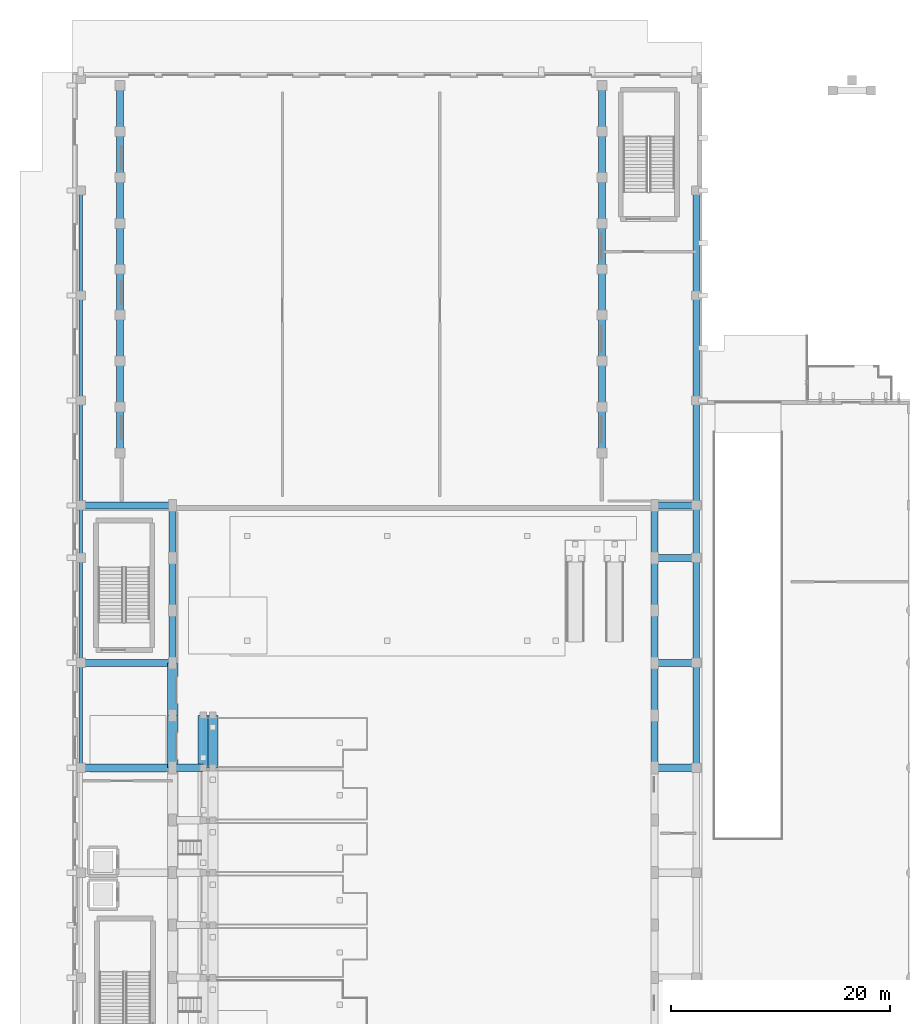
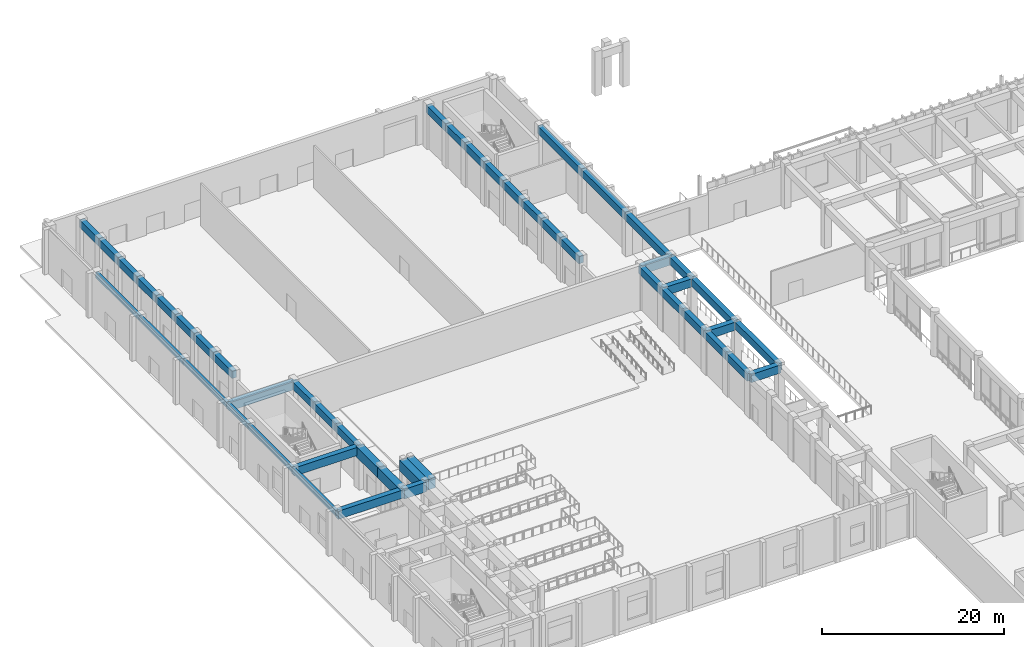
# One storey, part 27 of 87: 48 beams.
"""IFC4 building model written with IfcOpenShell, lengths in metres."""

from ifc_helpers import new_model, si_unit, direction, frame, origin, origin_2d, place, context, subcontext, project, spatial, rectangle, extrude, material, material_profile, profile_set, type_object, element, save


model = new_model("IFC4")

# Units and contexts
model_context = context("Model", 3, precision=1e-05, world=origin(), true_north=direction((0.0, 1.0)))
body_context = subcontext(model_context, "Body", "Model", "MODEL_VIEW")
ifc_project = project(units=[si_unit("LENGTHUNIT", "METRE"), si_unit("AREAUNIT", "SQUARE_METRE"), si_unit("VOLUMEUNIT", "CUBIC_METRE"), si_unit("PLANEANGLEUNIT", "RADIAN"), si_unit("MASSUNIT", "GRAM", prefix="KILO")], contexts=[model_context])

# Site, building, storey
site_placement = place(None, origin())
site = spatial("IfcSite", under=ifc_project, at=site_placement, CompositionType="ELEMENT")
building_placement = place(site_placement, origin())
building = spatial("IfcBuilding", under=site, at=building_placement, Name="Nakhvara Creek Congress Hotel", CompositionType="ELEMENT")
storey_placement = place(building_placement, origin())
storey = spatial("IfcBuildingStorey", under=building, at=storey_placement, Name="L00", CompositionType="ELEMENT", Elevation=0.0)

# Beams
ifc_material_1 = material(Name="Concrete C50/60", Category="concrete")
ifc_material_profile_1 = material_profile(ifc_material_1, rectangle(XDim=0.64990234375, YDim=1.300048828125, at=origin_2d()), Name="RC-RAKER 650x1300", Category="LoadBearing")
ifc_profile_set_1 = profile_set([ifc_material_profile_1], Name="Concrete C50/60")
beam_type_1 = type_object("IfcBeamType", Name="BM-RAKER-UP", PredefinedType="BEAM", material=ifc_profile_set_1)
beam_1_placement = place(storey_placement, frame((9.14990234375, 62.39990234375, 5.050048828125), z_axis=(1.0, 0.0, 0.0), x_axis=(0.0, 1.0, 0.0)))
element("IfcBeam", 1, at=beam_1_placement, inside=storey, type_object=beam_type_1, Name="Congress Stand RAKER L01-06", PredefinedType="BEAM", context=body_context, shape_type="SweptSolid", body=[
    extrude(rectangle(XDim=0.64990234375, YDim=1.300048828125, at=origin_2d()), origin(), (0.0, 0.0, 1.0), 2.800048828125),
])
ifc_material_profile_2 = material_profile(ifc_material_1, rectangle(XDim=0.6201171875, YDim=1.0, at=origin_2d()), Name="RC-BM 620x1000", Category="LoadBearing")
ifc_profile_set_2 = profile_set([ifc_material_profile_2], Name="Concrete C50/60")
beam_type_2 = type_object("IfcBeamType", Name="BM-RC-620X1000", PredefinedType="BEAM", material=ifc_profile_set_2)
for number, where, z_axis, x_axis, name in (
    (2, (57.050048828125, 62.39990234375, 5.199951171875), (0.0, 1.0, 0.0), (-1.0, 0.0, 0.0), "Beam B16-L00-0734"),
    (3, (57.050048828125, 72.0, 5.199951171875), (0.0, 1.0, 0.0), (-1.0, 0.0, 0.0), "Beam B16-L00-0738"),
):
    element("IfcBeam", number, at=place(storey_placement, frame(where, z_axis=z_axis, x_axis=x_axis)), inside=storey, type_object=beam_type_2, Name=name, PredefinedType="BEAM", context=body_context, shape_type="SweptSolid", body=[
        extrude(rectangle(XDim=0.6201171875, YDim=1.0, at=origin_2d()), origin(), (0.0, 0.0, 1.0), 9.60009765625),
    ])
beam_2_placement = place(storey_placement, frame((57.050048828125, 81.60009765625, 5.199951171875), z_axis=(0.0, 1.0, 0.0), x_axis=(-1.0, 0.0, 0.0)))
element("IfcBeam", 4, at=beam_2_placement, inside=storey, type_object=beam_type_2, Name="Beam B16-L00-0741", PredefinedType="BEAM", context=body_context, shape_type="SweptSolid", body=[
    extrude(rectangle(XDim=0.6201171875, YDim=1.0, at=origin_2d()), origin(), (0.0, 0.0, 1.0), 4.7998046875),
])
beam_3_placement = place(storey_placement, frame((57.050048828125, 86.39990234375, 5.199951171875), z_axis=(0.0, 1.0, 0.0), x_axis=(-1.0, 0.0, 0.0)))
element("IfcBeam", 5, at=beam_3_placement, inside=storey, type_object=beam_type_2, Name="Beam B16-L00-0746", PredefinedType="BEAM", context=body_context, shape_type="SweptSolid", body=[
    extrude(rectangle(XDim=0.6201171875, YDim=1.0, at=origin_2d()), origin(), (0.0, 0.0, 1.0), 9.60009765625),
])
for number, where, z_axis, x_axis, name in (
    (6, (53.25, 62.39990234375, 5.199951171875), (0.0, 1.0, 0.0), (-1.0, 0.0, 0.0), "Beam B16-L00-0760"),
    (7, (53.25, 67.199951171875, 5.199951171875), (0.0, 1.0, 0.0), (-1.0, 0.0, 0.0), "Beam B16-L00-0762"),
    (8, (9.14990234375, 72.0, 5.199951171875), (0.0, 1.0, 0.0), (-1.0, 0.0, 0.0), "Beam B16-L00-0763"),
    (9, (53.25, 72.0, 5.199951171875), (0.0, 1.0, 0.0), (-1.0, 0.0, 0.0), "Beam B16-L00-0764"),
    (10, (9.14990234375, 76.800048828125, 5.199951171875), (0.0, 1.0, 0.0), (-1.0, 0.0, 0.0), "Beam B16-L00-0765"),
    (11, (53.25, 76.800048828125, 5.199951171875), (0.0, 1.0, 0.0), (-1.0, 0.0, 0.0), "Beam B16-L00-0766"),
):
    element("IfcBeam", number, at=place(storey_placement, frame(where, z_axis=z_axis, x_axis=x_axis)), inside=storey, type_object=beam_type_2, Name=name, PredefinedType="BEAM", context=body_context, shape_type="SweptSolid", body=[
        extrude(rectangle(XDim=0.6201171875, YDim=1.0, at=origin_2d()), origin(), (0.0, 0.0, 1.0), 4.800048828125),
    ])
for number, where, z_axis, x_axis, name in (
    (12, (9.14990234375, 81.60009765625, 5.199951171875), (0.0, 1.0, 0.0), (-1.0, 0.0, 0.0), "Beam B16-L00-0767"),
    (13, (53.25, 81.60009765625, 5.199951171875), (0.0, 1.0, 0.0), (-1.0, 0.0, 0.0), "Beam B16-L00-0768"),
):
    element("IfcBeam", number, at=place(storey_placement, frame(where, z_axis=z_axis, x_axis=x_axis)), inside=storey, type_object=beam_type_2, Name=name, PredefinedType="BEAM", context=body_context, shape_type="SweptSolid", body=[
        extrude(rectangle(XDim=0.6201171875, YDim=1.0, at=origin_2d()), origin(), (0.0, 0.0, 1.0), 4.7998046875),
    ])
for number, where, z_axis, x_axis, name in (
    (14, (4.35009765625, 91.199951171875, 5.199951171875), (0.0, 1.0, 0.0), (-1.0, 0.0, 0.0), "Beam B16-L00-0781"),
    (15, (48.449951171875, 91.199951171875, 5.199951171875), (0.0, 1.0, 0.0), (-1.0, 0.0, 0.0), "Beam B16-L00-0782"),
):
    element("IfcBeam", number, at=place(storey_placement, frame(where, z_axis=z_axis, x_axis=x_axis)), inside=storey, type_object=beam_type_2, Name=name, PredefinedType="BEAM", context=body_context, shape_type="SweptSolid", body=[
        extrude(rectangle(XDim=0.6201171875, YDim=1.0, at=origin_2d()), origin(), (0.0, 0.0, 1.0), 4.199951171875),
    ])
for number, where, z_axis, x_axis, name in (
    (16, (4.35009765625, 95.39990234375, 5.199951171875), (0.0, 1.0, 0.0), (-1.0, 0.0, 0.0), "Beam B16-L00-0783"),
    (17, (48.449951171875, 95.39990234375, 5.199951171875), (0.0, 1.0, 0.0), (-1.0, 0.0, 0.0), "Beam B16-L00-0784"),
):
    element("IfcBeam", number, at=place(storey_placement, frame(where, z_axis=z_axis, x_axis=x_axis)), inside=storey, type_object=beam_type_2, Name=name, PredefinedType="BEAM", context=body_context, shape_type="SweptSolid", body=[
        extrude(rectangle(XDim=0.6201171875, YDim=1.0, at=origin_2d()), origin(), (0.0, 0.0, 1.0), 4.2001953125),
    ])
for number, where, z_axis, x_axis, name in (
    (18, (4.35009765625, 99.60009765625, 5.199951171875), (0.0, 1.0, 0.0), (-1.0, 0.0, 0.0), "Beam B16-L00-0785"),
    (19, (48.449951171875, 99.60009765625, 5.199951171875), (0.0, 1.0, 0.0), (-1.0, 0.0, 0.0), "Beam B16-L00-0786"),
    (20, (4.35009765625, 103.800048828125, 5.199951171875), (0.0, 1.0, 0.0), (-1.0, 0.0, 0.0), "Beam B16-L00-0787"),
    (21, (48.449951171875, 103.800048828125, 5.199951171875), (0.0, 1.0, 0.0), (-1.0, 0.0, 0.0), "Beam B16-L00-0788"),
    (22, (4.35009765625, 108.0, 5.199951171875), (0.0, 1.0, 0.0), (-1.0, 0.0, 0.0), "Beam B16-L00-0789"),
    (23, (48.449951171875, 108.0, 5.199951171875), (0.0, 1.0, 0.0), (-1.0, 0.0, 0.0), "Beam B16-L00-0790"),
    (24, (4.35009765625, 112.199951171875, 5.199951171875), (0.0, 1.0, 0.0), (-1.0, 0.0, 0.0), "Beam B16-L00-0791"),
    (25, (48.449951171875, 112.199951171875, 5.199951171875), (0.0, 1.0, 0.0), (-1.0, 0.0, 0.0), "Beam B16-L00-0792"),
):
    element("IfcBeam", number, at=place(storey_placement, frame(where, z_axis=z_axis, x_axis=x_axis)), inside=storey, type_object=beam_type_2, Name=name, PredefinedType="BEAM", context=body_context, shape_type="SweptSolid", body=[
        extrude(rectangle(XDim=0.6201171875, YDim=1.0, at=origin_2d()), origin(), (0.0, 0.0, 1.0), 4.199951171875),
    ])
for number, where, z_axis, x_axis, name in (
    (26, (4.35009765625, 116.39990234375, 5.199951171875), (0.0, 1.0, 0.0), (-1.0, 0.0, 0.0), "Beam B16-L00-0793"),
    (27, (48.449951171875, 116.39990234375, 5.199951171875), (0.0, 1.0, 0.0), (-1.0, 0.0, 0.0), "Beam B16-L00-0794"),
):
    element("IfcBeam", number, at=place(storey_placement, frame(where, z_axis=z_axis, x_axis=x_axis)), inside=storey, type_object=beam_type_2, Name=name, PredefinedType="BEAM", context=body_context, shape_type="SweptSolid", body=[
        extrude(rectangle(XDim=0.6201171875, YDim=1.0, at=origin_2d()), origin(), (0.0, 0.0, 1.0), 4.2001953125),
    ])
for number, where, z_axis, x_axis, name in (
    (28, (4.35009765625, 120.60009765625, 5.199951171875), (0.0, 1.0, 0.0), (-1.0, 0.0, 0.0), "Beam B16-L00-0795"),
    (29, (48.449951171875, 120.60009765625, 5.199951171875), (0.0, 1.0, 0.0), (-1.0, 0.0, 0.0), "Beam B16-L00-0796"),
):
    element("IfcBeam", number, at=place(storey_placement, frame(where, z_axis=z_axis, x_axis=x_axis)), inside=storey, type_object=beam_type_2, Name=name, PredefinedType="BEAM", context=body_context, shape_type="SweptSolid", body=[
        extrude(rectangle(XDim=0.6201171875, YDim=1.0, at=origin_2d()), origin(), (0.0, 0.0, 1.0), 4.199951171875),
    ])
beam_4_placement = place(storey_placement, frame((57.050048828125, 96.0, 5.199951171875), z_axis=(0.0, 1.0, 0.0), x_axis=(-1.0, 0.0, 0.0)))
element("IfcBeam", 30, at=beam_4_placement, inside=storey, type_object=beam_type_2, Name="Beam B16-L00-0798", PredefinedType="BEAM", context=body_context, shape_type="SweptSolid", body=[
    extrude(rectangle(XDim=0.6201171875, YDim=1.0, at=origin_2d()), origin(), (0.0, 0.0, 1.0), 9.60009765625),
])
beam_5_placement = place(storey_placement, frame((57.050048828125, 105.60009765625, 5.199951171875), z_axis=(0.0, 1.0, 0.0), x_axis=(-1.0, 0.0, 0.0)))
element("IfcBeam", 31, at=beam_5_placement, inside=storey, type_object=beam_type_2, Name="Beam B16-L00-0800", PredefinedType="BEAM", context=body_context, shape_type="SweptSolid", body=[
    extrude(rectangle(XDim=0.6201171875, YDim=1.0, at=origin_2d()), origin(), (0.0, 0.0, 1.0), 9.599853515625),
])
ifc_material_profile_3 = material_profile(ifc_material_1, rectangle(XDim=0.64990234375, YDim=1.10009765625, at=origin_2d()), Name="RC-BM 650x1100", Category="LoadBearing")
ifc_profile_set_3 = profile_set([ifc_material_profile_3], Name="Concrete C50/60")
beam_type_3 = type_object("IfcBeamType", Name="BM-RC-650X1100", PredefinedType="BEAM", material=ifc_profile_set_3)
beam_6_placement = place(storey_placement, frame((0.75, 62.39990234375, 5.14990234375), z_axis=(1.0, 0.0, 0.0), x_axis=(0.0, 1.0, 0.0)))
element("IfcBeam", 32, at=beam_6_placement, inside=storey, type_object=beam_type_3, Name="Beam B17-L00-0733", PredefinedType="BEAM", context=body_context, shape_type="SweptSolid", body=[
    extrude(rectangle(XDim=0.64990234375, YDim=1.10009765625, at=origin_2d()), origin(), (0.0, 0.0, 1.0), 8.39990234375),
])
beam_7_placement = place(storey_placement, frame((53.25, 62.39990234375, 5.14990234375), z_axis=(1.0, 0.0, 0.0), x_axis=(0.0, 1.0, 0.0)))
element("IfcBeam", 33, at=beam_7_placement, inside=storey, type_object=beam_type_3, Name="Beam B17-L00-0735", PredefinedType="BEAM", context=body_context, shape_type="SweptSolid", body=[
    extrude(rectangle(XDim=0.64990234375, YDim=1.10009765625, at=origin_2d()), origin(), (0.0, 0.0, 1.0), 3.800048828125),
])
beam_8_placement = place(storey_placement, frame((0.75, 72.0, 5.14990234375), z_axis=(1.0, 0.0, 0.0), x_axis=(0.0, 1.0, 0.0)))
element("IfcBeam", 34, at=beam_8_placement, inside=storey, type_object=beam_type_3, Name="Beam B17-L00-0737", PredefinedType="BEAM", context=body_context, shape_type="SweptSolid", body=[
    extrude(rectangle(XDim=0.64990234375, YDim=1.10009765625, at=origin_2d()), origin(), (0.0, 0.0, 1.0), 8.39990234375),
])
for number, where, z_axis, x_axis, name in (
    (35, (53.25, 72.0, 5.14990234375), (1.0, 0.0, 0.0), (0.0, 1.0, 0.0), "Beam B17-L00-0739"),
    (36, (53.25, 81.60009765625, 5.14990234375), (1.0, 0.0, 0.0), (0.0, 1.0, 0.0), "Beam B17-L00-0742"),
):
    element("IfcBeam", number, at=place(storey_placement, frame(where, z_axis=z_axis, x_axis=x_axis)), inside=storey, type_object=beam_type_3, Name=name, PredefinedType="BEAM", context=body_context, shape_type="SweptSolid", body=[
        extrude(rectangle(XDim=0.64990234375, YDim=1.10009765625, at=origin_2d()), origin(), (0.0, 0.0, 1.0), 3.800048828125),
    ])
beam_9_placement = place(storey_placement, frame((0.75, 86.39990234375, 5.14990234375), z_axis=(1.0, 0.0, 0.0), x_axis=(0.0, 1.0, 0.0)))
element("IfcBeam", 37, at=beam_9_placement, inside=storey, type_object=beam_type_3, Name="Beam B17-L00-0743", PredefinedType="BEAM", context=body_context, shape_type="SweptSolid", body=[
    extrude(rectangle(XDim=0.64990234375, YDim=1.10009765625, at=origin_2d()), origin(), (0.0, 0.0, 1.0), 8.39990234375),
])
beam_10_placement = place(storey_placement, frame((53.25, 86.39990234375, 5.14990234375), z_axis=(1.0, 0.0, 0.0), x_axis=(0.0, 1.0, 0.0)))
element("IfcBeam", 38, at=beam_10_placement, inside=storey, type_object=beam_type_3, Name="Beam B17-L00-0745", PredefinedType="BEAM", context=body_context, shape_type="SweptSolid", body=[
    extrude(rectangle(XDim=0.64990234375, YDim=1.10009765625, at=origin_2d()), origin(), (0.0, 0.0, 1.0), 3.800048828125),
])
ifc_material_2 = material(Name="Concrete C40/50", Category="concrete")
ifc_material_profile_4 = material_profile(ifc_material_2, rectangle(XDim=0.35009765625, YDim=0.75, at=origin_2d()), Name="RC-SPANDREL 350x750", Category="LoadBearing")
ifc_profile_set_4 = profile_set([ifc_material_profile_4], Name="Concrete C40/50")
beam_type_4 = type_object("IfcBeamType", Name="BM-SPN-350X750", PredefinedType="SPANDREL", material=ifc_profile_set_4)
for number, where, z_axis, x_axis, name in (
    (39, (0.75, 62.39990234375, 5.324951171875), (0.0, 1.0, 0.0), (-1.0, 0.0, 0.0), "Beam SP1-L00-0732"),
    (40, (0.75, 72.0, 5.324951171875), (0.0, 1.0, 0.0), (-1.0, 0.0, 0.0), "Beam SP1-L00-0736"),
):
    element("IfcBeam", number, at=place(storey_placement, frame(where, z_axis=z_axis, x_axis=x_axis)), inside=storey, type_object=beam_type_4, Name=name, PredefinedType="SPANDREL", context=body_context, shape_type="SweptSolid", body=[
        extrude(rectangle(XDim=0.35009765625, YDim=0.75, at=origin_2d()), origin(), (0.0, 0.0, 1.0), 9.60009765625),
    ])
beam_11_placement = place(storey_placement, frame((0.75, 81.60009765625, 5.324951171875), z_axis=(0.0, 1.0, 0.0), x_axis=(-1.0, 0.0, 0.0)))
element("IfcBeam", 41, at=beam_11_placement, inside=storey, type_object=beam_type_4, Name="Beam SP1-L00-0740", PredefinedType="SPANDREL", context=body_context, shape_type="SweptSolid", body=[
    extrude(rectangle(XDim=0.35009765625, YDim=0.75, at=origin_2d()), origin(), (0.0, 0.0, 1.0), 4.7998046875),
])
for number, where, z_axis, x_axis, name in (
    (42, (0.75, 86.39990234375, 5.324951171875), (0.0, 1.0, 0.0), (-1.0, 0.0, 0.0), "Beam SP1-L00-0744"),
    (43, (0.75, 96.0, 5.324951171875), (0.0, 1.0, 0.0), (-1.0, 0.0, 0.0), "Beam SP1-L00-0797"),
):
    element("IfcBeam", number, at=place(storey_placement, frame(where, z_axis=z_axis, x_axis=x_axis)), inside=storey, type_object=beam_type_4, Name=name, PredefinedType="SPANDREL", context=body_context, shape_type="SweptSolid", body=[
        extrude(rectangle(XDim=0.35009765625, YDim=0.75, at=origin_2d()), origin(), (0.0, 0.0, 1.0), 9.60009765625),
    ])
beam_12_placement = place(storey_placement, frame((0.75, 105.60009765625, 5.324951171875), z_axis=(0.0, 1.0, 0.0), x_axis=(-1.0, 0.0, 0.0)))
element("IfcBeam", 44, at=beam_12_placement, inside=storey, type_object=beam_type_4, Name="Beam SP1-L00-0799", PredefinedType="SPANDREL", context=body_context, shape_type="SweptSolid", body=[
    extrude(rectangle(XDim=0.35009765625, YDim=0.75, at=origin_2d()), origin(), (0.0, 0.0, 1.0), 9.599853515625),
])
ifc_material_profile_5 = material_profile(ifc_material_1, rectangle(XDim=0.89990234375, YDim=1.39990234375, at=origin_2d()), Name="RC-TG 900x1400", Category="LoadBearing")
ifc_profile_set_5 = profile_set([ifc_material_profile_5], Name="Concrete C50/60")
beam_type_5 = type_object("IfcBeamType", Name="BM-TG1-1400", PredefinedType="BEAM", material=ifc_profile_set_5)
for number, where, z_axis, x_axis, name in (
    (45, (9.14990234375, 62.39990234375, 5.0), (0.0, 1.0, 0.0), (-1.0, 0.0, 0.0), "Transfer Girder TG1-L00-0759"),
    (46, (9.14990234375, 67.199951171875, 5.0), (0.0, 1.0, 0.0), (-1.0, 0.0, 0.0), "Transfer Girder TG1-L00-0761"),
    (47, (11.949951171875, 62.39990234375, 5.0), (0.0, 1.0, 0.0), (-1.0, 0.0, 0.0), "Transfer Girder TG1-L00-0779"),
    (48, (12.85009765625, 62.39990234375, 5.0), (0.0, 1.0, 0.0), (-1.0, 0.0, 0.0), "Transfer Girder TG1-L00-0780"),
):
    element("IfcBeam", number, at=place(storey_placement, frame(where, z_axis=z_axis, x_axis=x_axis)), inside=storey, type_object=beam_type_5, Name=name, PredefinedType="BEAM", context=body_context, shape_type="SweptSolid", body=[
        extrude(rectangle(XDim=0.89990234375, YDim=1.39990234375, at=origin_2d()), origin(), (0.0, 0.0, 1.0), 4.800048828125),
    ])

save(model, "model.ifc")
